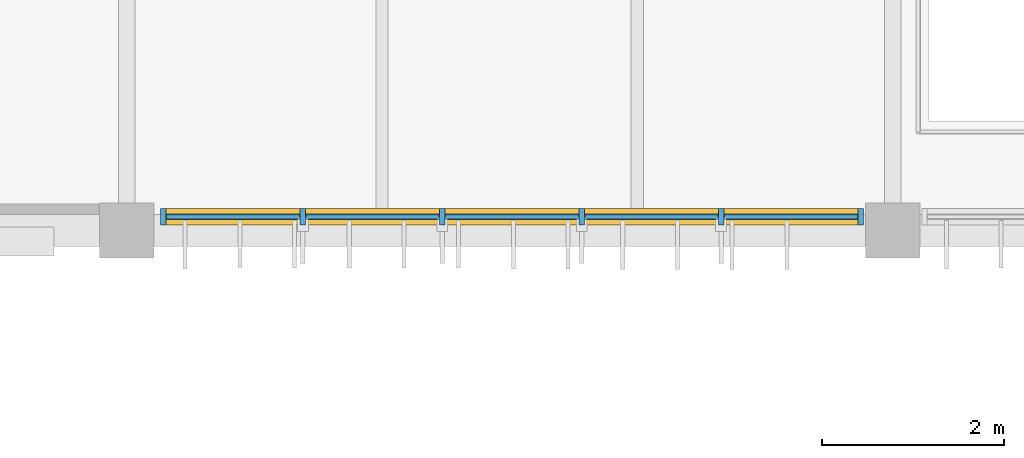
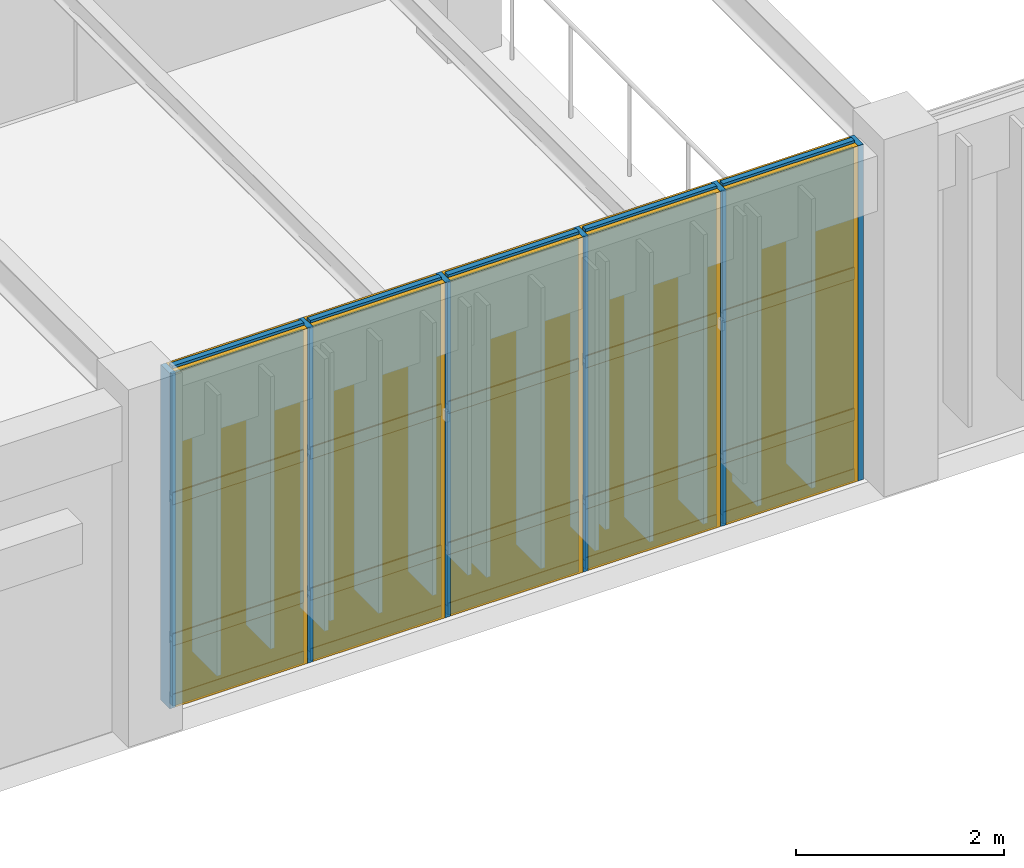
# One storey, part 95 of 122: 26 members, 15 plates, 1 curtain wall.
"""IFC4 building model written with IfcOpenShell, lengths in metres."""

from ifc_helpers import new_model, si_unit, direction, frame, frame_2d, origin, origin_2d, place, context, subcontext, project, spatial, rectangle, extrude, material, layer, layer_set, material_profile, profile_set, type_object, element, aggregate, save


model = new_model("IFC4")

# Units and contexts
model_context = context("Model", 3, precision=1e-05, world=origin(), true_north=direction((0.0, 1.0)))
body_context = subcontext(model_context, "Body", "Model", "MODEL_VIEW")
ifc_project = project(units=[si_unit("LENGTHUNIT", "METRE"), si_unit("AREAUNIT", "SQUARE_METRE"), si_unit("VOLUMEUNIT", "CUBIC_METRE"), si_unit("PLANEANGLEUNIT", "RADIAN"), si_unit("MASSUNIT", "GRAM", prefix="KILO")], contexts=[model_context])

# Member
ifc_material_1 = material(Name="Anodised Bronze Aluminium 6063-T6", Category="aluminium")
ifc_material_profile_1 = material_profile(ifc_material_1, rectangle(XDim=0.06005859375, YDim=0.179931640625, at=origin_2d()), Name="ALU MULLION 60x180")
ifc_profile_set_1 = profile_set([ifc_material_profile_1], Name="Anodised Bronze Aluminium 6063-T6")
member_type_1 = type_object("IfcMemberType", Name="Curtain-Wall Primary Mullion 60x180", PredefinedType="MULLION", material=ifc_profile_set_1)
site_placement = place(None, origin())
building_placement = place(site_placement, origin())
storey_placement = place(building_placement, frame((0.0, 0.0, 4.800048828125)))
member_1_placement = place(storey_placement, frame((125.800048828125, 87.949951171875, 0.0), z_axis=(0.0, 0.0, 1.0), x_axis=(1.0, 0.0, 0.0)))
member_1 = element("IfcMember", 1, at=member_1_placement, type_object=member_type_1, Name="Mullion CWM-01 CW-V3-S2-L01-B1-M01", PredefinedType="MULLION", context=body_context, shape_type="SweptSolid", body=[
    extrude(rectangle(XDim=0.06005859375, YDim=0.179931640625, at=origin_2d()), origin(), (0.0, 0.0, 1.0), 3.93994140625),
])

member_2_placement = place(storey_placement, frame((127.330078125, 87.949951171875, 0.0), z_axis=(0.0, 0.0, 1.0), x_axis=(1.0, 0.0, 0.0)))
member_2 = element("IfcMember", 2, at=member_2_placement, type_object=member_type_1, Name="Mullion CWM-01 CW-V3-S2-L01-B1-M02", PredefinedType="MULLION", context=body_context, shape_type="SweptSolid", body=[
    extrude(rectangle(XDim=0.06005859375, YDim=0.179931640625, at=origin_2d()), origin(), (0.0, 0.0, 1.0), 3.93994140625),
])

member_3_placement = place(storey_placement, frame((128.860107421875, 87.949951171875, 0.0), z_axis=(0.0, 0.0, 1.0), x_axis=(1.0, 0.0, 0.0)))
member_3 = element("IfcMember", 3, at=member_3_placement, type_object=member_type_1, Name="Mullion CWM-01 CW-V3-S2-L01-B1-M03", PredefinedType="MULLION", context=body_context, shape_type="SweptSolid", body=[
    extrude(rectangle(XDim=0.06005859375, YDim=0.179931640625, at=origin_2d()), origin(), (0.0, 0.0, 1.0), 3.93994140625),
])

member_4_placement = place(storey_placement, frame((130.389892578125, 87.949951171875, 0.0), z_axis=(0.0, 0.0, 1.0), x_axis=(1.0, 0.0, 0.0)))
member_4 = element("IfcMember", 4, at=member_4_placement, type_object=member_type_1, Name="Mullion CWM-01 CW-V3-S2-L01-B1-M04", PredefinedType="MULLION", context=body_context, shape_type="SweptSolid", body=[
    extrude(rectangle(XDim=0.06005859375, YDim=0.179931640625, at=origin_2d()), origin(), (0.0, 0.0, 1.0), 3.93994140625),
])

member_5_placement = place(storey_placement, frame((131.919921875, 87.949951171875, 0.0), z_axis=(0.0, 0.0, 1.0), x_axis=(1.0, 0.0, 0.0)))
member_5 = element("IfcMember", 5, at=member_5_placement, type_object=member_type_1, Name="Mullion CWM-01 CW-V3-S2-L01-B1-M05", PredefinedType="MULLION", context=body_context, shape_type="SweptSolid", body=[
    extrude(rectangle(XDim=0.06005859375, YDim=0.179931640625, at=origin_2d()), origin(), (0.0, 0.0, 1.0), 3.93994140625),
])

member_6_placement = place(storey_placement, frame((133.449951171875, 87.949951171875, 0.0), z_axis=(0.0, 0.0, 1.0), x_axis=(1.0, 0.0, 0.0)))
member_6 = element("IfcMember", 6, at=member_6_placement, type_object=member_type_1, Name="Mullion CWM-01 CW-V3-S2-L01-B1-M06", PredefinedType="MULLION", context=body_context, shape_type="SweptSolid", body=[
    extrude(rectangle(XDim=0.06005859375, YDim=0.179931640625, at=origin_2d()), origin(), (0.0, 0.0, 1.0), 3.93994140625),
])

ifc_material_profile_2 = material_profile(ifc_material_1, rectangle(XDim=0.06005859375, YDim=0.139892578125, at=origin_2d()), Name="ALU TRANSOM 60x140")
ifc_profile_set_2 = profile_set([ifc_material_profile_2], Name="Anodised Bronze Aluminium 6063-T6")
member_type_2 = type_object("IfcMemberType", Name="Curtain-Wall Transom 60x140", PredefinedType="USERDEFINED", material=ifc_profile_set_2)
member_7_placement = place(storey_placement, frame((125.8349609375, 87.949951171875, 0.0400390625), z_axis=(1.0, 0.0, 0.0), x_axis=(0.0, 1.0, 0.0)))
member_7 = element("IfcMember", 7, at=member_7_placement, type_object=member_type_2, Name="Transom CWT-01 CW-V3-S2-L01-B1-T01.1", ObjectType="TRANSOM", PredefinedType="USERDEFINED", context=body_context, shape_type="SweptSolid", body=[
    extrude(rectangle(XDim=0.06005859375, YDim=0.139892578125, at=origin_2d()), origin(), (0.0, 0.0, 1.0), 1.4599609375),
])

member_8_placement = place(storey_placement, frame((125.8349609375, 87.949951171875, 0.75), z_axis=(1.0, 0.0, 0.0), x_axis=(0.0, 1.0, 0.0)))
member_8 = element("IfcMember", 8, at=member_8_placement, type_object=member_type_2, Name="Transom CWT-01 CW-V3-S2-L01-B1-T01.2", ObjectType="TRANSOM", PredefinedType="USERDEFINED", context=body_context, shape_type="SweptSolid", body=[
    extrude(rectangle(XDim=0.06005859375, YDim=0.139892578125, at=origin_2d()), origin(), (0.0, 0.0, 1.0), 1.4599609375),
])

member_9_placement = place(storey_placement, frame((125.8349609375, 87.949951171875, 2.40869140625), z_axis=(1.0, 0.0, 0.0), x_axis=(0.0, 1.0, 0.0)))
member_9 = element("IfcMember", 9, at=member_9_placement, type_object=member_type_2, Name="Transom CWT-01 CW-V3-S2-L01-B1-T01.3", ObjectType="TRANSOM", PredefinedType="USERDEFINED", context=body_context, shape_type="SweptSolid", body=[
    extrude(rectangle(XDim=0.06005859375, YDim=0.139892578125, at=origin_2d()), origin(), (0.0, 0.0, 1.0), 1.4599609375),
])

member_10_placement = place(storey_placement, frame((125.8349609375, 87.949951171875, 3.89990234375), z_axis=(1.0, 0.0, 0.0), x_axis=(0.0, 1.0, 0.0)))
member_10 = element("IfcMember", 10, at=member_10_placement, type_object=member_type_2, Name="Transom CWT-01 CW-V3-S2-L01-B1-T01.4", ObjectType="TRANSOM", PredefinedType="USERDEFINED", context=body_context, shape_type="SweptSolid", body=[
    extrude(rectangle(XDim=0.06005859375, YDim=0.139892578125, at=origin_2d()), origin(), (0.0, 0.0, 1.0), 1.4599609375),
])

member_11_placement = place(storey_placement, frame((127.364990234375, 87.949951171875, 0.0400390625), z_axis=(1.0, 0.0, 0.0), x_axis=(0.0, 1.0, 0.0)))
member_11 = element("IfcMember", 11, at=member_11_placement, type_object=member_type_2, Name="Transom CWT-01 CW-V3-S2-L01-B1-T02.1", ObjectType="TRANSOM", PredefinedType="USERDEFINED", context=body_context, shape_type="SweptSolid", body=[
    extrude(rectangle(XDim=0.06005859375, YDim=0.139892578125, at=origin_2d()), origin(), (0.0, 0.0, 1.0), 1.4599609375),
])

member_12_placement = place(storey_placement, frame((127.364990234375, 87.949951171875, 0.75), z_axis=(1.0, 0.0, 0.0), x_axis=(0.0, 1.0, 0.0)))
member_12 = element("IfcMember", 12, at=member_12_placement, type_object=member_type_2, Name="Transom CWT-01 CW-V3-S2-L01-B1-T02.2", ObjectType="TRANSOM", PredefinedType="USERDEFINED", context=body_context, shape_type="SweptSolid", body=[
    extrude(rectangle(XDim=0.06005859375, YDim=0.139892578125, at=origin_2d()), origin(), (0.0, 0.0, 1.0), 1.4599609375),
])

member_13_placement = place(storey_placement, frame((127.364990234375, 87.949951171875, 2.40869140625), z_axis=(1.0, 0.0, 0.0), x_axis=(0.0, 1.0, 0.0)))
member_13 = element("IfcMember", 13, at=member_13_placement, type_object=member_type_2, Name="Transom CWT-01 CW-V3-S2-L01-B1-T02.3", ObjectType="TRANSOM", PredefinedType="USERDEFINED", context=body_context, shape_type="SweptSolid", body=[
    extrude(rectangle(XDim=0.06005859375, YDim=0.139892578125, at=origin_2d()), origin(), (0.0, 0.0, 1.0), 1.4599609375),
])

member_14_placement = place(storey_placement, frame((127.364990234375, 87.949951171875, 3.89990234375), z_axis=(1.0, 0.0, 0.0), x_axis=(0.0, 1.0, 0.0)))
member_14 = element("IfcMember", 14, at=member_14_placement, type_object=member_type_2, Name="Transom CWT-01 CW-V3-S2-L01-B1-T02.4", ObjectType="TRANSOM", PredefinedType="USERDEFINED", context=body_context, shape_type="SweptSolid", body=[
    extrude(rectangle(XDim=0.06005859375, YDim=0.139892578125, at=origin_2d()), origin(), (0.0, 0.0, 1.0), 1.4599609375),
])

member_15_placement = place(storey_placement, frame((128.89501953125, 87.949951171875, 0.0400390625), z_axis=(1.0, 0.0, 0.0), x_axis=(0.0, 1.0, 0.0)))
member_15 = element("IfcMember", 15, at=member_15_placement, type_object=member_type_2, Name="Transom CWT-01 CW-V3-S2-L01-B1-T03.1", ObjectType="TRANSOM", PredefinedType="USERDEFINED", context=body_context, shape_type="SweptSolid", body=[
    extrude(rectangle(XDim=0.06005859375, YDim=0.139892578125, at=origin_2d()), origin(), (0.0, 0.0, 1.0), 1.4599609375),
])

member_16_placement = place(storey_placement, frame((128.89501953125, 87.949951171875, 0.75), z_axis=(1.0, 0.0, 0.0), x_axis=(0.0, 1.0, 0.0)))
member_16 = element("IfcMember", 16, at=member_16_placement, type_object=member_type_2, Name="Transom CWT-01 CW-V3-S2-L01-B1-T03.2", ObjectType="TRANSOM", PredefinedType="USERDEFINED", context=body_context, shape_type="SweptSolid", body=[
    extrude(rectangle(XDim=0.06005859375, YDim=0.139892578125, at=origin_2d()), origin(), (0.0, 0.0, 1.0), 1.4599609375),
])

member_17_placement = place(storey_placement, frame((128.89501953125, 87.949951171875, 2.40869140625), z_axis=(1.0, 0.0, 0.0), x_axis=(0.0, 1.0, 0.0)))
member_17 = element("IfcMember", 17, at=member_17_placement, type_object=member_type_2, Name="Transom CWT-01 CW-V3-S2-L01-B1-T03.3", ObjectType="TRANSOM", PredefinedType="USERDEFINED", context=body_context, shape_type="SweptSolid", body=[
    extrude(rectangle(XDim=0.06005859375, YDim=0.139892578125, at=origin_2d()), origin(), (0.0, 0.0, 1.0), 1.4599609375),
])

member_18_placement = place(storey_placement, frame((128.89501953125, 87.949951171875, 3.89990234375), z_axis=(1.0, 0.0, 0.0), x_axis=(0.0, 1.0, 0.0)))
member_18 = element("IfcMember", 18, at=member_18_placement, type_object=member_type_2, Name="Transom CWT-01 CW-V3-S2-L01-B1-T03.4", ObjectType="TRANSOM", PredefinedType="USERDEFINED", context=body_context, shape_type="SweptSolid", body=[
    extrude(rectangle(XDim=0.06005859375, YDim=0.139892578125, at=origin_2d()), origin(), (0.0, 0.0, 1.0), 1.4599609375),
])

member_19_placement = place(storey_placement, frame((130.425048828125, 87.949951171875, 0.0400390625), z_axis=(1.0, 0.0, 0.0), x_axis=(0.0, 1.0, 0.0)))
member_19 = element("IfcMember", 19, at=member_19_placement, type_object=member_type_2, Name="Transom CWT-01 CW-V3-S2-L01-B1-T04.1", ObjectType="TRANSOM", PredefinedType="USERDEFINED", context=body_context, shape_type="SweptSolid", body=[
    extrude(rectangle(XDim=0.06005859375, YDim=0.139892578125, at=origin_2d()), origin(), (0.0, 0.0, 1.0), 1.4599609375),
])

member_20_placement = place(storey_placement, frame((130.425048828125, 87.949951171875, 0.75), z_axis=(1.0, 0.0, 0.0), x_axis=(0.0, 1.0, 0.0)))
member_20 = element("IfcMember", 20, at=member_20_placement, type_object=member_type_2, Name="Transom CWT-01 CW-V3-S2-L01-B1-T04.2", ObjectType="TRANSOM", PredefinedType="USERDEFINED", context=body_context, shape_type="SweptSolid", body=[
    extrude(rectangle(XDim=0.06005859375, YDim=0.139892578125, at=origin_2d()), origin(), (0.0, 0.0, 1.0), 1.4599609375),
])

member_21_placement = place(storey_placement, frame((130.425048828125, 87.949951171875, 2.40869140625), z_axis=(1.0, 0.0, 0.0), x_axis=(0.0, 1.0, 0.0)))
member_21 = element("IfcMember", 21, at=member_21_placement, type_object=member_type_2, Name="Transom CWT-01 CW-V3-S2-L01-B1-T04.3", ObjectType="TRANSOM", PredefinedType="USERDEFINED", context=body_context, shape_type="SweptSolid", body=[
    extrude(rectangle(XDim=0.06005859375, YDim=0.139892578125, at=origin_2d()), origin(), (0.0, 0.0, 1.0), 1.4599609375),
])

member_22_placement = place(storey_placement, frame((130.425048828125, 87.949951171875, 3.89990234375), z_axis=(1.0, 0.0, 0.0), x_axis=(0.0, 1.0, 0.0)))
member_22 = element("IfcMember", 22, at=member_22_placement, type_object=member_type_2, Name="Transom CWT-01 CW-V3-S2-L01-B1-T04.4", ObjectType="TRANSOM", PredefinedType="USERDEFINED", context=body_context, shape_type="SweptSolid", body=[
    extrude(rectangle(XDim=0.06005859375, YDim=0.139892578125, at=origin_2d()), origin(), (0.0, 0.0, 1.0), 1.4599609375),
])

member_23_placement = place(storey_placement, frame((131.955078125, 87.949951171875, 0.0400390625), z_axis=(1.0, 0.0, 0.0), x_axis=(0.0, 1.0, 0.0)))
member_23 = element("IfcMember", 23, at=member_23_placement, type_object=member_type_2, Name="Transom CWT-01 CW-V3-S2-L01-B1-T05.1", ObjectType="TRANSOM", PredefinedType="USERDEFINED", context=body_context, shape_type="SweptSolid", body=[
    extrude(rectangle(XDim=0.06005859375, YDim=0.139892578125, at=origin_2d()), origin(), (0.0, 0.0, 1.0), 1.4599609375),
])

member_24_placement = place(storey_placement, frame((131.955078125, 87.949951171875, 0.75), z_axis=(1.0, 0.0, 0.0), x_axis=(0.0, 1.0, 0.0)))
member_24 = element("IfcMember", 24, at=member_24_placement, type_object=member_type_2, Name="Transom CWT-01 CW-V3-S2-L01-B1-T05.2", ObjectType="TRANSOM", PredefinedType="USERDEFINED", context=body_context, shape_type="SweptSolid", body=[
    extrude(rectangle(XDim=0.06005859375, YDim=0.139892578125, at=origin_2d()), origin(), (0.0, 0.0, 1.0), 1.4599609375),
])

member_25_placement = place(storey_placement, frame((131.955078125, 87.949951171875, 2.40869140625), z_axis=(1.0, 0.0, 0.0), x_axis=(0.0, 1.0, 0.0)))
member_25 = element("IfcMember", 25, at=member_25_placement, type_object=member_type_2, Name="Transom CWT-01 CW-V3-S2-L01-B1-T05.3", ObjectType="TRANSOM", PredefinedType="USERDEFINED", context=body_context, shape_type="SweptSolid", body=[
    extrude(rectangle(XDim=0.06005859375, YDim=0.139892578125, at=origin_2d()), origin(), (0.0, 0.0, 1.0), 1.4599609375),
])

member_26_placement = place(storey_placement, frame((131.955078125, 87.949951171875, 3.89990234375), z_axis=(1.0, 0.0, 0.0), x_axis=(0.0, 1.0, 0.0)))
member_26 = element("IfcMember", 26, at=member_26_placement, type_object=member_type_2, Name="Transom CWT-01 CW-V3-S2-L01-B1-T05.4", ObjectType="TRANSOM", PredefinedType="USERDEFINED", context=body_context, shape_type="SweptSolid", body=[
    extrude(rectangle(XDim=0.06005859375, YDim=0.139892578125, at=origin_2d()), origin(), (0.0, 0.0, 1.0), 1.4599609375),
])

# Plate
ifc_material_2 = material(Name="Insulated Bronze Aluminium Spandrel Panel", Category="aluminium")
ifc_layer_1 = layer(ifc_material_2, 0.050048828125, Name="Insulated Bronze Aluminium Spandrel Panel")
ifc_layer_set_1 = layer_set([ifc_layer_1], Name="Insulated Bronze Aluminium Spandrel Panel")
plate_type_1 = type_object("IfcPlateType", Name="Insulated Anodised Aluminium Spandrel Cassette 50", PredefinedType="CURTAIN_PANEL", material=ifc_layer_set_1)
plate_1_placement = place(storey_placement, frame((126.56494140625, 87.949951171875, 0.070068359375), z_axis=(0.0, 0.0, 1.0), x_axis=(1.0, 0.0, 0.0)))
plate_1 = element("IfcPlate", 27, at=plate_1_placement, type_object=plate_type_1, Name="Curtain Panel CWP-03 CW-V3-S2-L01-B1-P01.1", PredefinedType="CURTAIN_PANEL", context=body_context, shape_type="SweptSolid", body=[
    extrude(rectangle(XDim=1.4599609375, YDim=0.050048828125, at=origin_2d()), origin(), (0.0, 0.0, 1.0), 0.64990234375),
])

plate_2_placement = place(storey_placement, frame((128.094970703125, 87.949951171875, 0.070068359375), z_axis=(0.0, 0.0, 1.0), x_axis=(1.0, 0.0, 0.0)))
plate_2 = element("IfcPlate", 28, at=plate_2_placement, type_object=plate_type_1, Name="Curtain Panel CWP-03 CW-V3-S2-L01-B1-P02.1", PredefinedType="CURTAIN_PANEL", context=body_context, shape_type="SweptSolid", body=[
    extrude(rectangle(XDim=1.4599609375, YDim=0.050048828125, at=origin_2d()), origin(), (0.0, 0.0, 1.0), 0.64990234375),
])

plate_3_placement = place(storey_placement, frame((129.625, 87.949951171875, 0.070068359375), z_axis=(0.0, 0.0, 1.0), x_axis=(1.0, 0.0, 0.0)))
plate_3 = element("IfcPlate", 29, at=plate_3_placement, type_object=plate_type_1, Name="Curtain Panel CWP-03 CW-V3-S2-L01-B1-P03.1", PredefinedType="CURTAIN_PANEL", context=body_context, shape_type="SweptSolid", body=[
    extrude(rectangle(XDim=1.4599609375, YDim=0.050048828125, at=origin_2d()), origin(), (0.0, 0.0, 1.0), 0.64990234375),
])

plate_4_placement = place(storey_placement, frame((131.155029296875, 87.949951171875, 0.070068359375), z_axis=(0.0, 0.0, 1.0), x_axis=(1.0, 0.0, 0.0)))
plate_4 = element("IfcPlate", 30, at=plate_4_placement, type_object=plate_type_1, Name="Curtain Panel CWP-03 CW-V3-S2-L01-B1-P04.1", PredefinedType="CURTAIN_PANEL", context=body_context, shape_type="SweptSolid", body=[
    extrude(rectangle(XDim=1.4599609375, YDim=0.050048828125, at=origin_2d()), origin(), (0.0, 0.0, 1.0), 0.64990234375),
])

plate_5_placement = place(storey_placement, frame((132.68505859375, 87.949951171875, 0.070068359375), z_axis=(0.0, 0.0, 1.0), x_axis=(1.0, 0.0, 0.0)))
plate_5 = element("IfcPlate", 31, at=plate_5_placement, type_object=plate_type_1, Name="Curtain Panel CWP-03 CW-V3-S2-L01-B1-P05.1", PredefinedType="CURTAIN_PANEL", context=body_context, shape_type="SweptSolid", body=[
    extrude(rectangle(XDim=1.4599609375, YDim=0.050048828125, at=origin_2d()), origin(), (0.0, 0.0, 1.0), 0.64990234375),
])

ifc_material_3 = material(Name="Solar-Control Tempered Double Glazing", Category="glass")
ifc_layer_2 = layer(ifc_material_3, 0.0380859375, Name="Solar-Control Tempered Double Glazing")
ifc_layer_set_2 = layer_set([ifc_layer_2], Name="Solar-Control Tempered Double Glazing")
plate_type_2 = type_object("IfcPlateType", Name="Solar-Control Vision Glazing Unit 38", PredefinedType="CURTAIN_PANEL", material=ifc_layer_set_2)
plate_6_placement = place(storey_placement, frame((126.56494140625, 87.949951171875, 0.77978515625), z_axis=(0.0, 0.0, 1.0), x_axis=(1.0, 0.0, 0.0)))
plate_6 = element("IfcPlate", 32, at=plate_6_placement, type_object=plate_type_2, Name="Curtain Panel CWP-02 CW-V3-S2-L01-B1-P01.2", PredefinedType="CURTAIN_PANEL", context=body_context, shape_type="SweptSolid", body=[
    extrude(rectangle(XDim=1.4599609375, YDim=0.0380859375, at=origin_2d()), origin(), (0.0, 0.0, 1.0), 1.598876953125),
])

plate_7_placement = place(storey_placement, frame((126.56494140625, 87.949951171875, 2.438720703125), z_axis=(0.0, 0.0, 1.0), x_axis=(1.0, 0.0, 0.0)))
plate_7 = element("IfcPlate", 33, at=plate_7_placement, type_object=plate_type_2, Name="Curtain Panel CWP-02 CW-V3-S2-L01-B1-P01.3", PredefinedType="CURTAIN_PANEL", context=body_context, shape_type="SweptSolid", body=[
    extrude(rectangle(XDim=1.4599609375, YDim=0.0380859375, at=origin_2d()), origin(), (0.0, 0.0, 1.0), 1.43115234375),
])

plate_8_placement = place(storey_placement, frame((128.094970703125, 87.949951171875, 0.77978515625), z_axis=(0.0, 0.0, 1.0), x_axis=(1.0, 0.0, 0.0)))
plate_8 = element("IfcPlate", 34, at=plate_8_placement, type_object=plate_type_2, Name="Curtain Panel CWP-02 CW-V3-S2-L01-B1-P02.2", PredefinedType="CURTAIN_PANEL", context=body_context, shape_type="SweptSolid", body=[
    extrude(rectangle(XDim=1.4599609375, YDim=0.0380859375, at=origin_2d()), origin(), (0.0, 0.0, 1.0), 1.598876953125),
])

plate_9_placement = place(storey_placement, frame((128.094970703125, 87.949951171875, 2.438720703125), z_axis=(0.0, 0.0, 1.0), x_axis=(1.0, 0.0, 0.0)))
plate_9 = element("IfcPlate", 35, at=plate_9_placement, type_object=plate_type_2, Name="Curtain Panel CWP-02 CW-V3-S2-L01-B1-P02.3", PredefinedType="CURTAIN_PANEL", context=body_context, shape_type="SweptSolid", body=[
    extrude(rectangle(XDim=1.4599609375, YDim=0.0380859375, at=origin_2d()), origin(), (0.0, 0.0, 1.0), 1.43115234375),
])

plate_10_placement = place(storey_placement, frame((129.625, 87.949951171875, 0.77978515625), z_axis=(0.0, 0.0, 1.0), x_axis=(1.0, 0.0, 0.0)))
plate_10 = element("IfcPlate", 36, at=plate_10_placement, type_object=plate_type_2, Name="Curtain Panel CWP-02 CW-V3-S2-L01-B1-P03.2", PredefinedType="CURTAIN_PANEL", context=body_context, shape_type="SweptSolid", body=[
    extrude(rectangle(XDim=1.4599609375, YDim=0.0380859375, at=origin_2d()), origin(), (0.0, 0.0, 1.0), 1.598876953125),
])

plate_11_placement = place(storey_placement, frame((129.625, 87.949951171875, 2.438720703125), z_axis=(0.0, 0.0, 1.0), x_axis=(1.0, 0.0, 0.0)))
plate_11 = element("IfcPlate", 37, at=plate_11_placement, type_object=plate_type_2, Name="Curtain Panel CWP-02 CW-V3-S2-L01-B1-P03.3", PredefinedType="CURTAIN_PANEL", context=body_context, shape_type="SweptSolid", body=[
    extrude(rectangle(XDim=1.4599609375, YDim=0.0380859375, at=origin_2d()), origin(), (0.0, 0.0, 1.0), 1.43115234375),
])

plate_12_placement = place(storey_placement, frame((131.155029296875, 87.949951171875, 0.77978515625), z_axis=(0.0, 0.0, 1.0), x_axis=(1.0, 0.0, 0.0)))
plate_12 = element("IfcPlate", 38, at=plate_12_placement, type_object=plate_type_2, Name="Curtain Panel CWP-02 CW-V3-S2-L01-B1-P04.2", PredefinedType="CURTAIN_PANEL", context=body_context, shape_type="SweptSolid", body=[
    extrude(rectangle(XDim=1.4599609375, YDim=0.0380859375, at=origin_2d()), origin(), (0.0, 0.0, 1.0), 1.598876953125),
])

plate_13_placement = place(storey_placement, frame((131.155029296875, 87.949951171875, 2.438720703125), z_axis=(0.0, 0.0, 1.0), x_axis=(1.0, 0.0, 0.0)))
plate_13 = element("IfcPlate", 39, at=plate_13_placement, type_object=plate_type_2, Name="Curtain Panel CWP-02 CW-V3-S2-L01-B1-P04.3", PredefinedType="CURTAIN_PANEL", context=body_context, shape_type="SweptSolid", body=[
    extrude(rectangle(XDim=1.4599609375, YDim=0.0380859375, at=origin_2d()), origin(), (0.0, 0.0, 1.0), 1.43115234375),
])

plate_14_placement = place(storey_placement, frame((132.68505859375, 87.949951171875, 0.77978515625), z_axis=(0.0, 0.0, 1.0), x_axis=(1.0, 0.0, 0.0)))
plate_14 = element("IfcPlate", 40, at=plate_14_placement, type_object=plate_type_2, Name="Curtain Panel CWP-02 CW-V3-S2-L01-B1-P05.2", PredefinedType="CURTAIN_PANEL", context=body_context, shape_type="SweptSolid", body=[
    extrude(rectangle(XDim=1.4599609375, YDim=0.0380859375, at=origin_2d()), origin(), (0.0, 0.0, 1.0), 1.598876953125),
])

plate_15_placement = place(storey_placement, frame((132.68505859375, 87.949951171875, 2.438720703125), z_axis=(0.0, 0.0, 1.0), x_axis=(1.0, 0.0, 0.0)))
plate_15 = element("IfcPlate", 41, at=plate_15_placement, type_object=plate_type_2, Name="Curtain Panel CWP-02 CW-V3-S2-L01-B1-P05.3", PredefinedType="CURTAIN_PANEL", context=body_context, shape_type="SweptSolid", body=[
    extrude(rectangle(XDim=1.4599609375, YDim=0.0380859375, at=origin_2d()), origin(), (0.0, 0.0, 1.0), 1.43115234375),
])

# Site, building, storey
site = spatial("IfcSite", under=ifc_project, at=site_placement, CompositionType="ELEMENT")
building = spatial("IfcBuilding", under=site, at=building_placement, Name="Tazoul Stagehouse", CompositionType="ELEMENT")
storey = spatial("IfcBuildingStorey", under=building, at=storey_placement, Name="L01", CompositionType="ELEMENT", Elevation=4.800048828125)

# Curtain wall
curtain_wall_type = type_object("IfcCurtainWallType", Name="Rehearsal North Daylight Curtain Wall", PredefinedType="NOTDEFINED", material=ifc_material_1)
curtain_wall_placement = place(storey_placement, frame((125.800048828125, 87.949951171875, 0.0), z_axis=(0.0, 0.0, 1.0), x_axis=(1.0, 0.0, 0.0)))
curtain_wall = element("IfcCurtainWall", 42, at=curtain_wall_placement, inside=storey, type_object=curtain_wall_type, Name="L01 Curtain Wall CW-04 (CW-V3-S2-L01-B1)", PredefinedType="NOTDEFINED", context=body_context, shape_type="SweptSolid", body=[
    extrude(rectangle(XDim=7.64990234375, YDim=0.179931640625, at=frame_2d((3.824951171875, 0.0))), origin(), (0.0, 0.0, 1.0), 3.93994140625),
])

aggregate(curtain_wall, [member_1, member_2, member_3, member_4, member_5, member_6, member_7, member_8, member_9, member_10, plate_1, plate_6, plate_7, member_11, member_12, member_13, member_14, plate_2, plate_8, plate_9, member_15, member_16, member_17, member_18, plate_3, plate_10, plate_11, member_19, member_20, member_21, member_22, plate_4, plate_12, plate_13, member_23, member_24, member_25, member_26, plate_5, plate_14, plate_15])

save(model, "model.ifc")
